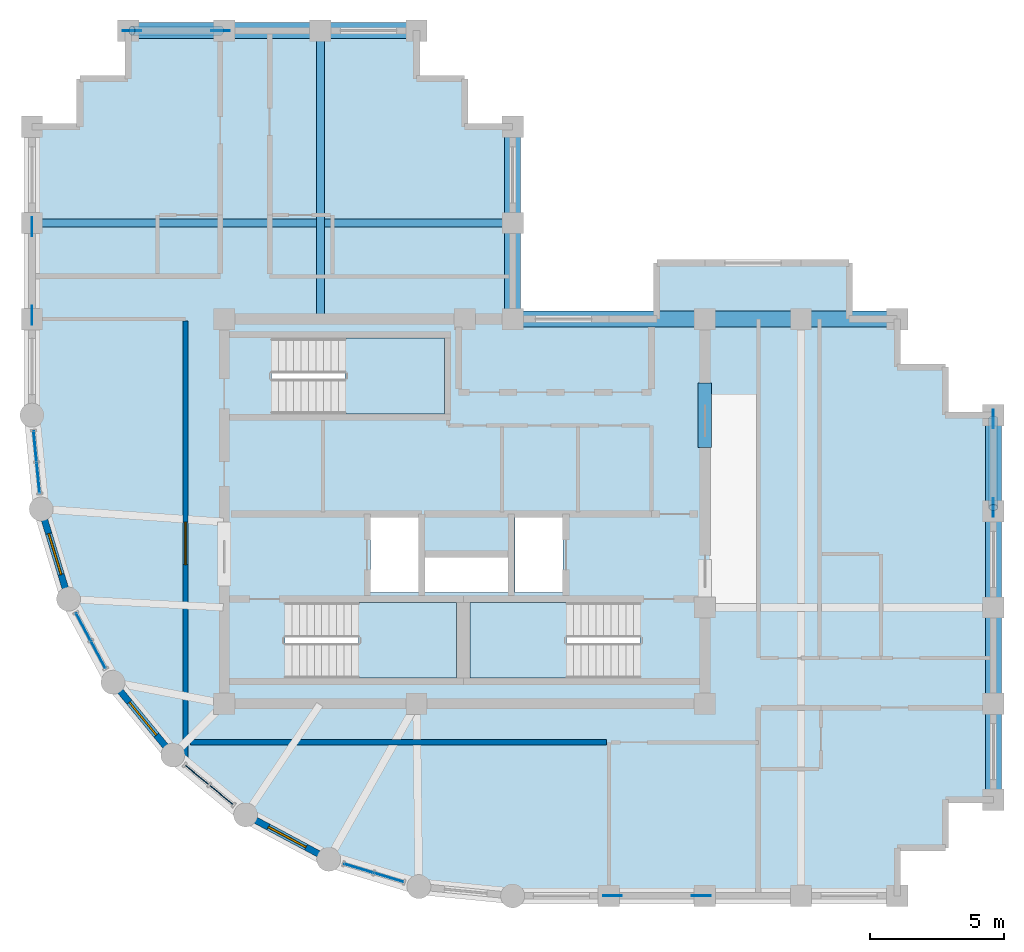
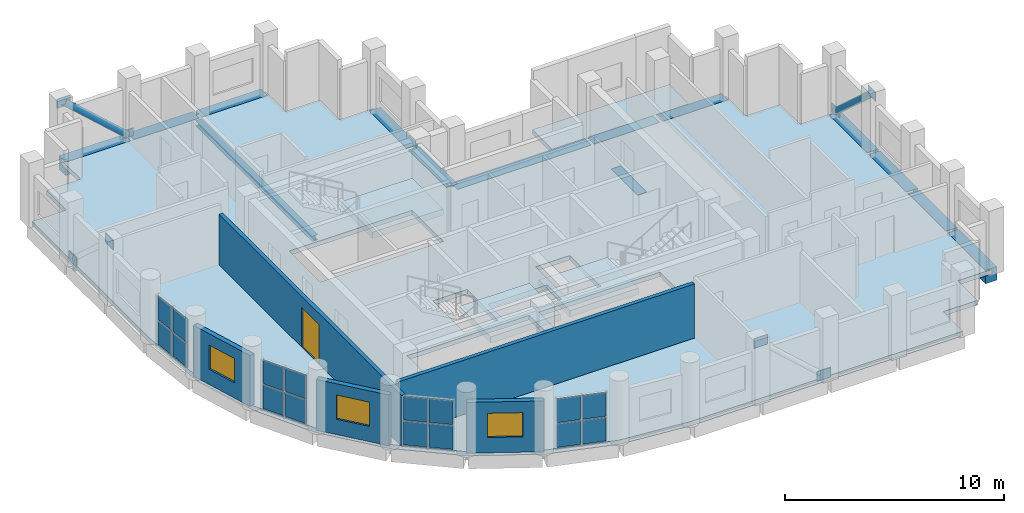
# One storey, part 6 of 11: 24 plates, 15 beams, 5 walls, 4 slabs, 3 windows, 2 members, 1 door, 4 openings, 7 elements without a shape of their own.
"""IFC4 building model written with IfcOpenShell, lengths in metres."""

from ifc_helpers import new_model, si_unit, direction, frame, frame_2d, origin, origin_2d, place, context, subcontext, project, spatial, polyline, rectangle, hollow_circle, i_section, outline, extrude, material, layer, layer_set, material_profile, profile_set, type_object, element, fill, aggregate, save


model = new_model("IFC4")

# Units and contexts
model_context = context("Model", 3, precision=1e-05, world=origin(), true_north=direction((0.0, 1.0)))
body_context = subcontext(model_context, "Body", "Model", "MODEL_VIEW")
ifc_project = project(units=[si_unit("LENGTHUNIT", "METRE"), si_unit("AREAUNIT", "SQUARE_METRE"), si_unit("VOLUMEUNIT", "CUBIC_METRE"), si_unit("PLANEANGLEUNIT", "RADIAN"), si_unit("MASSUNIT", "GRAM", prefix="KILO")], contexts=[model_context])

# Site, building, storey
site_placement = place(None, origin())
site = spatial("IfcSite", under=ifc_project, at=site_placement, CompositionType="ELEMENT")
building_placement = place(site_placement, origin())
building = spatial("IfcBuilding", under=site, at=building_placement, Name="Solnavia Interchange Tower", CompositionType="ELEMENT")
storey_placement = place(building_placement, frame((0.0, 0.0, 284.60009765625)))
storey = spatial("IfcBuildingStorey", under=building, at=storey_placement, Name="L72", CompositionType="ELEMENT", Elevation=284.60009765625)

# Beams
ifc_material_1 = material(Name="Concrete C50/60", Category="concrete")
ifc_material_profile_1 = material_profile(ifc_material_1, rectangle(XDim=0.5, YDim=0.800048828125, at=origin_2d()), Name="RC 500x800")
ifc_profile_set_1 = profile_set([ifc_material_profile_1], Name="Concrete C50/60")
beam_type_1 = type_object("IfcBeamType", Name="Beam-Coupling-RC500x800", PredefinedType="LINTEL", material=ifc_profile_set_1)
beam_1_placement = place(storey_placement, frame((32.39990234375, 20.39990234375, -0.400146484375), z_axis=(0.0, 1.0, 0.0), x_axis=(-1.0, 0.0, 0.0)))
element("IfcBeam", 1, at=beam_1_placement, inside=storey, type_object=beam_type_1, Name="CPB-L72-E2 Core coupling lintel beam", PredefinedType="LINTEL", context=body_context, shape_type="SweptSolid", body=[
    extrude(rectangle(XDim=0.5, YDim=0.800048828125, at=origin_2d()), origin(), (0.0, 0.0, 1.0), 2.400146484375),
])
ifc_material_2 = material(Name="Steel S460", Category="steel")
ifc_material_profile_2 = material_profile(ifc_material_2, i_section(OverallWidth=0.300048828125, OverallDepth=0.300048828125, WebThickness=0.010986328125, FlangeThickness=0.01904296875, FilletRadius=0.027099609375, at=origin_2d()), Name="HEB 300")
ifc_profile_set_2 = profile_set([ifc_material_profile_2], Name="Steel S460")
beam_type_2 = type_object("IfcBeamType", Name="Beam-Girder-HEB300", PredefinedType="BEAM", material=ifc_profile_set_2)
beam_2_placement = place(storey_placement, frame((18.0, 25.280029296875, -0.400146484375), z_axis=(0.0, 1.0, 0.0), x_axis=(-1.0, 0.0, 0.0)))
element("IfcBeam", 2, at=beam_2_placement, inside=storey, type_object=beam_type_2, Name="GRD-L72-NS03 North wing spine girder", PredefinedType="BEAM", context=body_context, shape_type="SweptSolid", body=[
    extrude(i_section(OverallWidth=0.300048828125, OverallDepth=0.300048828125, WebThickness=0.010986328125, FlangeThickness=0.01904296875, FilletRadius=0.027099609375, at=origin_2d()), origin(), (0.0, 0.0, 1.0), 10.639892578125),
])
beam_3_placement = place(storey_placement, frame((7.280029296875, 28.800048828125, -0.400146484375), z_axis=(1.0, 0.0, 0.0), x_axis=(0.0, 1.0, 0.0)))
element("IfcBeam", 3, at=beam_3_placement, inside=storey, type_object=beam_type_2, Name="GRD-L72-NW04 North wing primary floor girder", PredefinedType="BEAM", context=body_context, shape_type="SweptSolid", body=[
    extrude(i_section(OverallWidth=0.300048828125, OverallDepth=0.300048828125, WebThickness=0.010986328125, FlangeThickness=0.01904296875, FilletRadius=0.027099609375, at=origin_2d()), origin(), (0.0, 0.0, 1.0), 17.840087890625),
])
ifc_material_profile_3 = material_profile(ifc_material_1, rectangle(XDim=0.60009765625, YDim=0.75, at=origin_2d()), Name="RC 600x750")
ifc_profile_set_3 = profile_set([ifc_material_profile_3], Name="Concrete C50/60")
beam_type_3 = type_object("IfcBeamType", Name="Beam-Spandrel-RC600x750", PredefinedType="SPANDREL", material=ifc_profile_set_3)
beam_4_placement = place(storey_placement, frame((43.199951171875, 7.280029296875, -0.375), z_axis=(0.0, 1.0, 0.0), x_axis=(-1.0, 0.0, 0.0)))
element("IfcBeam", 4, at=beam_4_placement, inside=storey, type_object=beam_type_3, Name="SPB-L72-13 Framed-tube perimeter spandrel beam", PredefinedType="SPANDREL", context=body_context, shape_type="SweptSolid", body=[
    extrude(rectangle(XDim=0.60009765625, YDim=0.75, at=origin_2d()), origin(), (0.0, 0.0, 1.0), 3.43994140625),
])
beam_5_placement = place(storey_placement, frame((43.199951171875, 10.8798828125, -0.375), z_axis=(0.0, 1.0, 0.0), x_axis=(-1.0, 0.0, 0.0)))
element("IfcBeam", 5, at=beam_5_placement, inside=storey, type_object=beam_type_3, Name="SPB-L72-14 Framed-tube perimeter spandrel beam", PredefinedType="SPANDREL", context=body_context, shape_type="SweptSolid", body=[
    extrude(rectangle(XDim=0.60009765625, YDim=0.75, at=origin_2d()), origin(), (0.0, 0.0, 1.0), 3.440185546875),
])
for number, where, z_axis, x_axis, name in (
    (6, (43.199951171875, 14.47998046875, -0.375), (0.0, 1.0, 0.0), (-1.0, 0.0, 0.0), "SPB-L72-15 Framed-tube perimeter spandrel beam"),
    (7, (43.199951171875, 18.080078125, -0.375), (0.0, 1.0, 0.0), (-1.0, 0.0, 0.0), "SPB-L72-16 Framed-tube perimeter spandrel beam"),
    (8, (39.52001953125, 25.199951171875, -0.375), (-1.0, 0.0, 0.0), (0.0, -1.0, 0.0), "SPB-L72-17 Framed-tube perimeter spandrel beam"),
    (9, (35.919921875, 25.199951171875, -0.375), (-1.0, 0.0, 0.0), (0.0, -1.0, 0.0), "SPB-L72-18 Framed-tube perimeter spandrel beam"),
):
    element("IfcBeam", number, at=place(storey_placement, frame(where, z_axis=z_axis, x_axis=x_axis)), inside=storey, type_object=beam_type_3, Name=name, PredefinedType="SPANDREL", context=body_context, shape_type="SweptSolid", body=[
        extrude(rectangle(XDim=0.60009765625, YDim=0.75, at=origin_2d()), origin(), (0.0, 0.0, 1.0), 3.43994140625),
    ])
beam_6_placement = place(storey_placement, frame((32.320068359375, 25.199951171875, -0.375), z_axis=(-1.0, 0.0, 0.0), x_axis=(0.0, -1.0, 0.0)))
element("IfcBeam", 10, at=beam_6_placement, inside=storey, type_object=beam_type_3, Name="SPB-L72-19 Framed-tube perimeter spandrel beam", PredefinedType="SPANDREL", context=body_context, shape_type="SweptSolid", body=[
    extrude(rectangle(XDim=0.60009765625, YDim=0.75, at=origin_2d()), origin(), (0.0, 0.0, 1.0), 7.0400390625),
])
beam_7_placement = place(storey_placement, frame((25.199951171875, 25.280029296875, -0.375), z_axis=(0.0, 1.0, 0.0), x_axis=(-1.0, 0.0, 0.0)))
element("IfcBeam", 11, at=beam_7_placement, inside=storey, type_object=beam_type_3, Name="SPB-L72-20 Framed-tube perimeter spandrel beam", PredefinedType="SPANDREL", context=body_context, shape_type="SweptSolid", body=[
    extrude(rectangle(XDim=0.60009765625, YDim=0.75, at=origin_2d()), origin(), (0.0, 0.0, 1.0), 3.43994140625),
])
beam_8_placement = place(storey_placement, frame((25.199951171875, 28.8798828125, -0.375), z_axis=(0.0, 1.0, 0.0), x_axis=(-1.0, 0.0, 0.0)))
element("IfcBeam", 12, at=beam_8_placement, inside=storey, type_object=beam_type_3, Name="SPB-L72-21 Framed-tube perimeter spandrel beam", PredefinedType="SPANDREL", context=body_context, shape_type="SweptSolid", body=[
    extrude(rectangle(XDim=0.60009765625, YDim=0.75, at=origin_2d()), origin(), (0.0, 0.0, 1.0), 3.440185546875),
])
for number, where, z_axis, x_axis, name in (
    (13, (21.52001953125, 36.0, -0.375), (-1.0, 0.0, 0.0), (0.0, -1.0, 0.0), "SPB-L72-22 Framed-tube perimeter spandrel beam"),
    (14, (17.919921875, 36.0, -0.375), (-1.0, 0.0, 0.0), (0.0, -1.0, 0.0), "SPB-L72-23 Framed-tube perimeter spandrel beam"),
):
    element("IfcBeam", number, at=place(storey_placement, frame(where, z_axis=z_axis, x_axis=x_axis)), inside=storey, type_object=beam_type_3, Name=name, PredefinedType="SPANDREL", context=body_context, shape_type="SweptSolid", body=[
        extrude(rectangle(XDim=0.60009765625, YDim=0.75, at=origin_2d()), origin(), (0.0, 0.0, 1.0), 3.43994140625),
    ])
beam_9_placement = place(storey_placement, frame((14.320068359375, 36.0, -0.375), z_axis=(-1.0, 0.0, 0.0), x_axis=(0.0, -1.0, 0.0)))
element("IfcBeam", 15, at=beam_9_placement, inside=storey, type_object=beam_type_3, Name="SPB-L72-24 Framed-tube perimeter spandrel beam", PredefinedType="SPANDREL", context=body_context, shape_type="SweptSolid", body=[
    extrude(rectangle(XDim=0.60009765625, YDim=0.75, at=origin_2d()), origin(), (0.0, 0.0, 1.0), 3.440185546875),
])

# Members
ifc_material_profile_4 = material_profile(ifc_material_2, hollow_circle(Radius=0.177734375, WallThickness=0.01611328125, at=origin_2d()), Name="CHS 355.6x16")
ifc_profile_set_4 = profile_set([ifc_material_profile_4], Name="Steel S460")
member_type = type_object("IfcMemberType", Name="Brace-Perim-CHS355", PredefinedType="BRACE", material=ifc_profile_set_4)
for number, where, z_axis, x_axis, name in (
    (16, (43.199951171875, 21.4599609375, 0.179931640625), (0.0, -0.74307946371, 0.669203190827), (1.0, 0.0, 0.0), "BRC-L72-03 Perimeter tube diagonal brace"),
    (17, (14.260009765625, 36.0, 0.179931640625), (-0.74307946371, 0.0, 0.669203190827), (0.0, -1.0, 0.0), "BRC-L72-04 Perimeter tube diagonal brace"),
):
    element("IfcMember", number, at=place(storey_placement, frame(where, z_axis=z_axis, x_axis=x_axis)), inside=storey, type_object=member_type, Name=name, PredefinedType="BRACE", context=body_context, shape_type="SweptSolid", body=[
        extrude(hollow_circle(Radius=0.177734375, WallThickness=0.01611328125, at=origin_2d()), origin(), (0.0, 0.0, 1.0), 4.468017578125),
    ])

# Curtain wall, plates
ifc_material_3 = material(Name="Aluminium Alloy 6063-T6", Category="aluminium")
ifc_layer_1 = layer(ifc_material_3, 0.239990234375)
ifc_layer_set_1 = layer_set([ifc_layer_1], Name="Aluminium Alloy 6063-T6")
curtain_wall_type = type_object("IfcCurtainWallType", Name="CurtainWall-Drum-CTW2", PredefinedType="NOTDEFINED", material=ifc_layer_set_1)
curtain_wall_1_placement = place(storey_placement, origin())
curtain_wall_1 = element("IfcCurtainWall", 18, at=curtain_wall_1_placement, inside=storey, type_object=curtain_wall_type, Name="CTW-L72-D41 CTW-2 curtain wall", PredefinedType="NOTDEFINED")
ifc_material_4 = material(Name="Double-Glazed Low-E IGU Glass", Category="glass")
ifc_layer_2 = layer(ifc_material_4, 0.031982421875)
ifc_layer_set_2 = layer_set([ifc_layer_2], Name="Double-Glazed Low-E IGU Glass")
plate_type_1 = type_object("IfcPlateType", Name="CW-Panel-Solar-32", PredefinedType="CURTAIN_PANEL", material=ifc_layer_set_2)
plate_1_placement = place(storey_placement, frame((7.314697265625, 20.435791015625, 0.06494140625), z_axis=(0.0, 0.0, 1.0), x_axis=(0.098043088306, -0.995182170678, 0.0)))
plate_1 = element("IfcPlate", 19, at=plate_1_placement, type_object=plate_type_1, Name="CTW-2 panel 1.1", PredefinedType="CURTAIN_PANEL", context=body_context, shape_type="SweptSolid", body=[
    extrude(rectangle(XDim=1.114501953125, YDim=0.031982421875, at=origin_2d()), origin(), (0.0, 0.0, 1.0), 1.3173828125),
])
plate_2_placement = place(storey_placement, frame((7.314697265625, 20.435791015625, 1.447509765625), z_axis=(0.0, 0.0, 1.0), x_axis=(0.098043088306, -0.995182170678, 0.0)))
plate_2 = element("IfcPlate", 20, at=plate_2_placement, type_object=plate_type_1, Name="CTW-2 panel 1.2", PredefinedType="CURTAIN_PANEL", context=body_context, shape_type="SweptSolid", body=[
    extrude(rectangle(XDim=1.114501953125, YDim=0.031982421875, at=origin_2d()), origin(), (0.0, 0.0, 1.0), 1.3173828125),
])
plate_3_placement = place(storey_placement, frame((7.431396484375, 19.252197265625, 0.06494140625), z_axis=(0.0, 0.0, 1.0), x_axis=(0.098043088306, -0.995182170678, 0.0)))
plate_3 = element("IfcPlate", 21, at=plate_3_placement, type_object=plate_type_1, Name="CTW-2 panel 2.1", PredefinedType="CURTAIN_PANEL", context=body_context, shape_type="SweptSolid", body=[
    extrude(rectangle(XDim=1.114501953125, YDim=0.031982421875, at=origin_2d()), origin(), (0.0, 0.0, 1.0), 1.3173828125),
])
plate_4_placement = place(storey_placement, frame((7.431396484375, 19.252197265625, 1.447509765625), z_axis=(0.0, 0.0, 1.0), x_axis=(0.098043088306, -0.995182170678, 0.0)))
plate_4 = element("IfcPlate", 22, at=plate_4_placement, type_object=plate_type_1, Name="CTW-2 panel 2.2", PredefinedType="CURTAIN_PANEL", context=body_context, shape_type="SweptSolid", body=[
    extrude(rectangle(XDim=1.114501953125, YDim=0.031982421875, at=origin_2d()), origin(), (0.0, 0.0, 1.0), 1.3173828125),
])
aggregate(curtain_wall_1, [plate_1, plate_2, plate_3, plate_4])

curtain_wall_2_placement = place(storey_placement, origin())
curtain_wall_2 = element("IfcCurtainWall", 23, at=curtain_wall_2_placement, inside=storey, type_object=curtain_wall_type, Name="CTW-L72-D43 CTW-2 curtain wall", PredefinedType="NOTDEFINED")
plate_5_placement = place(storey_placement, frame((9.12158203125, 13.680419921875, 0.06494140625), z_axis=(0.0, 0.0, 1.0), x_axis=(0.471560876964, -0.881833509976, 0.0)))
plate_5 = element("IfcPlate", 24, at=plate_5_placement, type_object=plate_type_1, Name="CTW-2 panel 1.1", PredefinedType="CURTAIN_PANEL", context=body_context, shape_type="SweptSolid", body=[
    extrude(rectangle(XDim=1.114501953125, YDim=0.031982421875, at=origin_2d()), origin(), (0.0, 0.0, 1.0), 1.3173828125),
])
plate_6_placement = place(storey_placement, frame((9.12158203125, 13.680419921875, 1.447509765625), z_axis=(0.0, 0.0, 1.0), x_axis=(0.471560876964, -0.881833509976, 0.0)))
plate_6 = element("IfcPlate", 25, at=plate_6_placement, type_object=plate_type_1, Name="CTW-2 panel 1.2", PredefinedType="CURTAIN_PANEL", context=body_context, shape_type="SweptSolid", body=[
    extrude(rectangle(XDim=1.114501953125, YDim=0.031982421875, at=origin_2d()), origin(), (0.0, 0.0, 1.0), 1.3173828125),
])
plate_7_placement = place(storey_placement, frame((9.682373046875, 12.631591796875, 0.06494140625), z_axis=(0.0, 0.0, 1.0), x_axis=(0.471560876964, -0.881833509976, 0.0)))
plate_7 = element("IfcPlate", 26, at=plate_7_placement, type_object=plate_type_1, Name="CTW-2 panel 2.1", PredefinedType="CURTAIN_PANEL", context=body_context, shape_type="SweptSolid", body=[
    extrude(rectangle(XDim=1.114501953125, YDim=0.031982421875, at=origin_2d()), origin(), (0.0, 0.0, 1.0), 1.3173828125),
])
plate_8_placement = place(storey_placement, frame((9.682373046875, 12.631591796875, 1.447509765625), z_axis=(0.0, 0.0, 1.0), x_axis=(0.471560876964, -0.881833509976, 0.0)))
plate_8 = element("IfcPlate", 27, at=plate_8_placement, type_object=plate_type_1, Name="CTW-2 panel 2.2", PredefinedType="CURTAIN_PANEL", context=body_context, shape_type="SweptSolid", body=[
    extrude(rectangle(XDim=1.114501953125, YDim=0.031982421875, at=origin_2d()), origin(), (0.0, 0.0, 1.0), 1.3173828125),
])
aggregate(curtain_wall_2, [plate_5, plate_6, plate_7, plate_8])

curtain_wall_3_placement = place(storey_placement, origin())
curtain_wall_3 = element("IfcCurtainWall", 28, at=curtain_wall_3_placement, inside=storey, type_object=curtain_wall_type, Name="CTW-L72-D45 CTW-2 curtain wall", PredefinedType="NOTDEFINED")
plate_9_placement = place(storey_placement, frame((13.376220703125, 8.130126953125, 0.06494140625), z_axis=(0.0, 0.0, 1.0), x_axis=(0.773103093557, -0.634280384951, 0.0)))
plate_9 = element("IfcPlate", 29, at=plate_9_placement, type_object=plate_type_1, Name="CTW-2 panel 1.1", PredefinedType="CURTAIN_PANEL", context=body_context, shape_type="SweptSolid", body=[
    extrude(rectangle(XDim=1.1142578125, YDim=0.031982421875, at=origin_2d()), origin(), (0.0, 0.0, 1.0), 1.3173828125),
])
plate_10_placement = place(storey_placement, frame((13.376220703125, 8.130126953125, 1.447509765625), z_axis=(0.0, 0.0, 1.0), x_axis=(0.773103093557, -0.634280384951, 0.0)))
plate_10 = element("IfcPlate", 30, at=plate_10_placement, type_object=plate_type_1, Name="CTW-2 panel 1.2", PredefinedType="CURTAIN_PANEL", context=body_context, shape_type="SweptSolid", body=[
    extrude(rectangle(XDim=1.1142578125, YDim=0.031982421875, at=origin_2d()), origin(), (0.0, 0.0, 1.0), 1.3173828125),
])
plate_11_placement = place(storey_placement, frame((14.295654296875, 7.375732421875, 0.06494140625), z_axis=(0.0, 0.0, 1.0), x_axis=(0.773103093557, -0.634280384951, 0.0)))
plate_11 = element("IfcPlate", 31, at=plate_11_placement, type_object=plate_type_1, Name="CTW-2 panel 2.1", PredefinedType="CURTAIN_PANEL", context=body_context, shape_type="SweptSolid", body=[
    extrude(rectangle(XDim=1.1142578125, YDim=0.031982421875, at=origin_2d()), origin(), (0.0, 0.0, 1.0), 1.3173828125),
])
plate_12_placement = place(storey_placement, frame((14.295654296875, 7.375732421875, 1.447509765625), z_axis=(0.0, 0.0, 1.0), x_axis=(0.773103093557, -0.634280384951, 0.0)))
plate_12 = element("IfcPlate", 32, at=plate_12_placement, type_object=plate_type_1, Name="CTW-2 panel 2.2", PredefinedType="CURTAIN_PANEL", context=body_context, shape_type="SweptSolid", body=[
    extrude(rectangle(XDim=1.1142578125, YDim=0.031982421875, at=origin_2d()), origin(), (0.0, 0.0, 1.0), 1.3173828125),
])
aggregate(curtain_wall_3, [plate_9, plate_10, plate_11, plate_12])

curtain_wall_4_placement = place(storey_placement, origin())
curtain_wall_4 = element("IfcCurtainWall", 33, at=curtain_wall_4_placement, inside=storey, type_object=curtain_wall_type, Name="CTW-L72-D47 CTW-2 curtain wall", PredefinedType="NOTDEFINED")
plate_13_placement = place(storey_placement, frame((19.43115234375, 4.630615234375, 0.06494140625), z_axis=(0.0, 0.0, 1.0), x_axis=(0.956942072515, -0.290278951786, 0.0)))
plate_13 = element("IfcPlate", 34, at=plate_13_placement, type_object=plate_type_1, Name="CTW-2 panel 1.1", PredefinedType="CURTAIN_PANEL", context=body_context, shape_type="SweptSolid", body=[
    extrude(rectangle(XDim=1.114013671875, YDim=0.031982421875, at=origin_2d()), origin(), (0.0, 0.0, 1.0), 1.3173828125),
])
plate_14_placement = place(storey_placement, frame((19.43115234375, 4.630615234375, 1.447509765625), z_axis=(0.0, 0.0, 1.0), x_axis=(0.956942072515, -0.290278951786, 0.0)))
plate_14 = element("IfcPlate", 35, at=plate_14_placement, type_object=plate_type_1, Name="CTW-2 panel 1.2", PredefinedType="CURTAIN_PANEL", context=body_context, shape_type="SweptSolid", body=[
    extrude(rectangle(XDim=1.114013671875, YDim=0.031982421875, at=origin_2d()), origin(), (0.0, 0.0, 1.0), 1.3173828125),
])
plate_15_placement = place(storey_placement, frame((20.56884765625, 4.285400390625, 0.06494140625), z_axis=(0.0, 0.0, 1.0), x_axis=(0.956942072515, -0.290278951786, 0.0)))
plate_15 = element("IfcPlate", 36, at=plate_15_placement, type_object=plate_type_1, Name="CTW-2 panel 2.1", PredefinedType="CURTAIN_PANEL", context=body_context, shape_type="SweptSolid", body=[
    extrude(rectangle(XDim=1.114013671875, YDim=0.031982421875, at=origin_2d()), origin(), (0.0, 0.0, 1.0), 1.3173828125),
])
plate_16_placement = place(storey_placement, frame((20.56884765625, 4.285400390625, 1.447509765625), z_axis=(0.0, 0.0, 1.0), x_axis=(0.956942072515, -0.290278951786, 0.0)))
plate_16 = element("IfcPlate", 37, at=plate_16_placement, type_object=plate_type_1, Name="CTW-2 panel 2.2", PredefinedType="CURTAIN_PANEL", context=body_context, shape_type="SweptSolid", body=[
    extrude(rectangle(XDim=1.114013671875, YDim=0.031982421875, at=origin_2d()), origin(), (0.0, 0.0, 1.0), 1.3173828125),
])
aggregate(curtain_wall_4, [plate_13, plate_14, plate_15, plate_16])

# Plates
ifc_layer_3 = layer(ifc_material_2, 0.030029296875)
ifc_layer_set_3 = layer_set([ifc_layer_3], Name="Steel S460")
plate_type_2 = type_object("IfcPlateType", Name="Plate-Gusset-700x520x30", PredefinedType="USERDEFINED", material=ifc_layer_set_3)
for number, where, z_axis, x_axis, name in (
    (38, (32.260009765625, 3.60009765625, -0.080078125), (0.0, 0.0, 1.0), (-1.0, 0.0, 0.0), "PLT-L72-GP01 Perimeter brace gusset plate"),
    (39, (28.93994140625, 3.60009765625, 2.909912109375), (0.0, 0.0, 1.0), (-1.0, 0.0, 0.0), "PLT-L72-GP02 Perimeter brace gusset plate"),
    (40, (7.199951171875, 28.659912109375, -0.080078125), (0.0, 0.0, 1.0), (0.0, -1.0, 0.0), "PLT-L72-GP03 Perimeter brace gusset plate"),
    (41, (7.199951171875, 25.340087890625, 2.909912109375), (0.0, 0.0, 1.0), (0.0, -1.0, 0.0), "PLT-L72-GP04 Perimeter brace gusset plate"),
    (42, (43.199951171875, 21.4599609375, -0.080078125), (0.0, 0.0, 1.0), (0.0, -1.0, 0.0), "PLT-L72-GP05 Perimeter brace gusset plate"),
    (43, (43.199951171875, 18.139892578125, 2.909912109375), (0.0, 0.0, 1.0), (0.0, -1.0, 0.0), "PLT-L72-GP06 Perimeter brace gusset plate"),
    (44, (14.260009765625, 36.0, -0.080078125), (0.0, 0.0, 1.0), (-1.0, 0.0, 0.0), "PLT-L72-GP07 Perimeter brace gusset plate"),
    (45, (10.93994140625, 36.0, 2.909912109375), (0.0, 0.0, 1.0), (-1.0, 0.0, 0.0), "PLT-L72-GP08 Perimeter brace gusset plate"),
):
    element("IfcPlate", number, at=place(storey_placement, frame(where, z_axis=z_axis, x_axis=x_axis)), inside=storey, type_object=plate_type_2, Name=name, ObjectType="GUSSET PLATE", PredefinedType="USERDEFINED", context=body_context, shape_type="SweptSolid", body=[
        extrude(rectangle(XDim=0.699951171875, YDim=0.030029296875, at=origin_2d()), origin(), (0.0, 0.0, 1.0), 0.52001953125),
    ])

# Stair, slab
ifc_material_5 = material(Name="Concrete C40/50", Category="concrete")
stair_type = type_object("IfcStairType", Name="Stair-Dogleg-RC", PredefinedType="HALF_TURN_STAIR", material=ifc_material_5)
stair_1_placement = place(storey_placement, origin())
stair_1 = element("IfcStair", 46, at=stair_1_placement, inside=storey, type_object=stair_type, Name="L72 Core exit stair 1", PredefinedType="HALF_TURN_STAIR")
ifc_layer_4 = layer(ifc_material_5, 0.35009765625)
ifc_layer_set_4 = layer_set([ifc_layer_4], Name="Concrete C40/50")
slab_type_1 = type_object("IfcSlabType", Name="Slab-StairLanding-350", PredefinedType="LANDING", material=ifc_layer_set_4)
slab_1_placement = place(storey_placement, frame((0.0, 0.0, 1.449951171875)))
slab_1 = element("IfcSlab", 47, at=slab_1_placement, type_object=slab_type_1, Name="ST-1 landing 1", PredefinedType="LANDING", context=body_context, shape_type="SweptSolid", body=[
    extrude(outline(polyline([(19.427978515625, 11.75), (23.10009765625, 11.75), (23.10009765625, 14.590087890625), (19.427978515625, 14.590087890625), (19.427978515625, 11.75)])), origin(), (0.0, 0.0, 1.0), 0.349853515625),
])
aggregate(stair_1, [slab_1])

stair_2_placement = place(storey_placement, origin())
stair_2 = element("IfcStair", 48, at=stair_2_placement, inside=storey, type_object=stair_type, Name="L72 Core exit stair 2", PredefinedType="HALF_TURN_STAIR")
slab_2_placement = place(storey_placement, frame((0.0, 0.0, 1.449951171875)))
slab_2 = element("IfcSlab", 49, at=slab_2_placement, type_object=slab_type_1, Name="ST-2 landing 1", PredefinedType="LANDING", context=body_context, shape_type="SweptSolid", body=[
    extrude(outline(polyline([(23.60009765625, 11.75), (27.221923828125, 11.75), (27.221923828125, 14.590087890625), (23.60009765625, 14.590087890625), (23.60009765625, 11.75)])), origin(), (0.0, 0.0, 1.0), 0.349853515625),
])
aggregate(stair_2, [slab_2])

stair_3_placement = place(storey_placement, origin())
stair_3 = element("IfcStair", 50, at=stair_3_placement, inside=storey, type_object=stair_type, Name="L72 Core exit stair 3", PredefinedType="HALF_TURN_STAIR")
slab_3_placement = place(storey_placement, frame((0.0, 0.0, 1.449951171875)))
slab_3 = element("IfcSlab", 51, at=slab_3_placement, type_object=slab_type_1, Name="ST-3 landing 1", PredefinedType="LANDING", context=body_context, shape_type="SweptSolid", body=[
    extrude(outline(polyline([(18.927978515625, 21.64990234375), (22.64990234375, 21.64990234375), (22.64990234375, 24.489990234375), (18.927978515625, 24.489990234375), (18.927978515625, 21.64990234375)])), origin(), (0.0, 0.0, 1.0), 0.349853515625),
])
aggregate(stair_3, [slab_3])

# Slab
ifc_layer_5 = layer(ifc_material_5, 0.25)
ifc_layer_set_5 = layer_set([ifc_layer_5], Name="Concrete C40/50")
slab_type_2 = type_object("IfcSlabType", Name="Slab-Tower-250", PredefinedType="FLOOR", material=ifc_layer_set_5)
slab_4_placement = place(storey_placement, frame((0.0, 0.0, -0.25)))
element("IfcSlab", 52, at=slab_4_placement, inside=storey, type_object=slab_type_2, Name="SLB-L72-01 Structural floor slab", PredefinedType="FLOOR", context=body_context, shape_type="SweptSolid", body=[
    extrude(outline(polyline([(25.199951171875, 3.60009765625), (39.60009765625, 3.60009765625), (39.60009765625, 5.39990234375), (41.39990234375, 5.39990234375), (41.39990234375, 7.199951171875), (43.199951171875, 7.199951171875), (43.199951171875, 21.60009765625), (41.39990234375, 21.60009765625), (41.39990234375, 23.39990234375), (39.60009765625, 23.39990234375), (39.60009765625, 25.199951171875), (37.800048828125, 25.199951171875), (37.800048828125, 27.300048828125), (30.60009765625, 27.300048828125), (30.60009765625, 25.199951171875), (25.199951171875, 25.199951171875), (25.199951171875, 32.39990234375), (23.39990234375, 32.39990234375), (23.39990234375, 34.199951171875), (21.60009765625, 34.199951171875), (21.60009765625, 36.0), (10.800048828125, 36.0), (10.800048828125, 34.199951171875), (9.0, 34.199951171875), (9.0, 32.39990234375), (7.199951171875, 32.39990234375), (7.199951171875, 21.60009765625), (7.5458984375, 18.087890625), (8.570068359375, 14.7119140625), (10.23388671875, 11.60009765625), (12.471923828125, 8.8720703125), (15.199951171875, 6.634033203125), (18.31201171875, 4.969970703125), (21.68798828125, 3.946044921875), (25.199951171875, 3.60009765625)]), holes=[polyline([(16.675048828125, 11.75), (23.10009765625, 11.75), (23.10009765625, 14.590087890625), (16.675048828125, 14.590087890625), (16.675048828125, 11.75)]), polyline([(23.60009765625, 11.75), (29.97509765625, 11.75), (29.97509765625, 14.590087890625), (23.60009765625, 14.590087890625), (23.60009765625, 11.75)]), polyline([(16.175048828125, 21.64990234375), (22.64990234375, 21.64990234375), (22.64990234375, 24.489990234375), (16.175048828125, 24.489990234375), (16.175048828125, 21.64990234375)]), polyline([(19.8798828125, 14.9599609375), (21.679931640625, 14.9599609375), (21.679931640625, 17.780029296875), (19.8798828125, 17.780029296875), (19.8798828125, 14.9599609375)]), polyline([(25.280029296875, 14.9599609375), (27.080078125, 14.9599609375), (27.080078125, 17.780029296875), (25.280029296875, 17.780029296875), (25.280029296875, 14.9599609375)]), polyline([(21.919921875, 14.9599609375), (25.02001953125, 14.9599609375), (25.02001953125, 16.280029296875), (21.919921875, 16.280029296875), (21.919921875, 14.9599609375)])]), origin(), (0.0, 0.0, 1.0), 0.25),
])

# Wall, opening, door
ifc_material_6 = material(Name="Gypsum Acoustic Twin-Stud & Mineral Wool", Category="gypsum")
ifc_layer_6 = layer(ifc_material_6, 0.199951171875)
ifc_layer_set_6 = layer_set([ifc_layer_6], Name="Gypsum Acoustic Twin-Stud & Mineral Wool")
wall_type_1 = type_object("IfcWallType", Name="Wall-ApartmentParty-200", PredefinedType="PARTITIONING", material=ifc_layer_set_6)
wall_1_placement = place(storey_placement, frame((12.949951171875, 8.47998046875, 0.0), z_axis=(0.0, 0.0, 1.0), x_axis=(0.0, 1.0, 0.0)))
wall_1 = element("IfcWall", 53, at=wall_1_placement, inside=storey, type_object=wall_type_1, Name="PTW-L72-09 Interior partition wall", PredefinedType="PARTITIONING", context=body_context, shape_type="SweptSolid", body=[
    extrude(rectangle(XDim=16.64111328125, YDim=0.199951171875, at=frame_2d((8.320556640625, 0.0))), origin(), (0.0, 0.0, 1.0), 2.829833984375),
])
opening_1_placement = place(wall_1_placement, frame((7.52001953125, 0.0, 0.0)))
opening_1 = element("IfcOpeningElement", 54, at=opening_1_placement, cuts=wall_1, Name="Opening DR-08", PredefinedType="OPENING", context=body_context, shape_type="SweptSolid", body=[
    extrude(rectangle(XDim=1.60009765625, YDim=2.199951171875, at=frame_2d((0.800048828125, 1.10009765625))), frame((0.0, 0.10986328125, 0.0), z_axis=(0.0, -1.0, 0.0), x_axis=(1.0, 0.0, 0.0)), (0.0, 0.0, 1.0), 0.219970703125),
])
ifc_material_7 = material(Name="Thermally Broken Aluminium & Toughened Glass", Category="aluminium")
door_type = type_object("IfcDoorType", Name="Door-RetailDouble-1600x2200", OperationType="DOUBLE_DOOR_SINGLE_SWING", PredefinedType="DOOR", material=ifc_material_7)
door_placement = place(opening_1_placement, origin())
door = element("IfcDoor", 55, at=door_placement, inside=storey, type_object=door_type, Name="DR-L72-03 Interior room door", OperationType="DOUBLE_DOOR_SINGLE_SWING", OverallHeight=2.199951171875, OverallWidth=1.60009765625, PredefinedType="DOOR", context=body_context, shape_type="SweptSolid", body=[
    extrude(rectangle(XDim=1.60009765625, YDim=2.199951171875, at=frame_2d((0.800048828125, 1.10009765625))), frame((0.0, 0.02490234375, 0.0), z_axis=(0.0, -1.0, 0.0), x_axis=(1.0, 0.0, 0.0)), (0.0, 0.0, 1.0), 0.050048828125),
])
fill(opening_1, door)

# Wall
wall_2_placement = place(storey_placement, frame((13.1298828125, 9.35009765625, 0.0), z_axis=(0.0, 0.0, 1.0), x_axis=(1.0, 0.0, 0.0)))
element("IfcWall", 56, at=wall_2_placement, inside=storey, type_object=wall_type_1, Name="PTW-L72-10 Interior partition wall", PredefinedType="PARTITIONING", context=body_context, shape_type="SweptSolid", body=[
    extrude(rectangle(XDim=15.591064453125, YDim=0.199951171875, at=frame_2d((7.79541015625, 0.0))), origin(), (0.0, 0.0, 1.0), 3.02001953125),
])

# Wall, opening, window
ifc_layer_7 = layer(ifc_material_5, 0.25)
ifc_layer_set_7 = layer_set([ifc_layer_7], Name="Concrete C40/50")
wall_type_2 = type_object("IfcWallType", Name="Wall-ExtSpandrel-250", PredefinedType="STANDARD", material=ifc_layer_set_7)
wall_3_placement = place(storey_placement, frame((8.570068359375, 14.7119140625, 0.0), z_axis=(0.0, 0.0, 1.0), x_axis=(-0.290305086481, 0.956934144423, 0.0)))
wall_3 = element("IfcWall", 57, at=wall_3_placement, inside=storey, type_object=wall_type_2, Name="EXW-L72-42 Exterior precast spandrel wall", PredefinedType="STANDARD", context=body_context, shape_type="SweptSolid", body=[
    extrude(rectangle(XDim=3.52783203125, YDim=0.25, at=frame_2d((1.763916015625, 0.0))), origin(), (0.0, 0.0, 1.0), 2.829833984375),
])
opening_2_placement = place(wall_3_placement, frame((0.964111328125, 0.0, 0.85009765625)))
opening_2 = element("IfcOpeningElement", 58, at=opening_2_placement, cuts=wall_3, Name="Opening WIN-04", PredefinedType="OPENING", context=body_context, shape_type="SweptSolid", body=[
    extrude(rectangle(XDim=1.60009765625, YDim=1.35009765625, at=frame_2d((0.800048828125, 0.675048828125))), frame((0.0, 0.135009765625, 0.0), z_axis=(0.0, -1.0, 0.0), x_axis=(1.0, 0.0, 0.0)), (0.0, 0.0, 1.0), 0.27001953125),
])
ifc_material_8 = material(Name="Thermal-Break Aluminium & Low-E Glass", Category="aluminium")
window_type = type_object("IfcWindowType", Name="Window-Drum-1600x1350", PartitioningType="SINGLE_PANEL", PredefinedType="WINDOW", material=ifc_material_8)
window_1_placement = place(opening_2_placement, origin())
window_1 = element("IfcWindow", 59, at=window_1_placement, inside=storey, type_object=window_type, Name="WIN-L72-42 Facade ribbon window", OverallHeight=1.35009765625, OverallWidth=1.60009765625, PartitioningType="SINGLE_PANEL", PredefinedType="WINDOW", context=body_context, shape_type="SweptSolid", body=[
    extrude(rectangle(XDim=1.60009765625, YDim=1.35009765625, at=frame_2d((0.800048828125, 0.675048828125))), frame((0.0, 0.030029296875, 0.0), z_axis=(0.0, -1.0, 0.0), x_axis=(1.0, 0.0, 0.0)), (0.0, 0.0, 1.0), 0.06005859375),
])
fill(opening_2, window_1)

wall_4_placement = place(storey_placement, frame((12.471923828125, 8.8720703125, 0.0), z_axis=(0.0, 0.0, 1.0), x_axis=(-0.634258295121, 0.773121216285, 0.0)))
wall_4 = element("IfcWall", 60, at=wall_4_placement, inside=storey, type_object=wall_type_2, Name="EXW-L72-44 Exterior precast spandrel wall", PredefinedType="STANDARD", context=body_context, shape_type="SweptSolid", body=[
    extrude(rectangle(XDim=3.528564453125, YDim=0.25, at=frame_2d((1.76416015625, 0.0))), origin(), (0.0, 0.0, 1.0), 2.829833984375),
])
opening_3_placement = place(wall_4_placement, frame((0.964111328125, 0.0, 0.85009765625)))
opening_3 = element("IfcOpeningElement", 61, at=opening_3_placement, cuts=wall_4, Name="Opening WIN-04", PredefinedType="OPENING", context=body_context, shape_type="SweptSolid", body=[
    extrude(rectangle(XDim=1.60009765625, YDim=1.35009765625, at=frame_2d((0.800048828125, 0.675048828125))), frame((0.0, 0.135009765625, 0.0), z_axis=(0.0, -1.0, 0.0), x_axis=(1.0, 0.0, 0.0)), (0.0, 0.0, 1.0), 0.27001953125),
])
window_2_placement = place(opening_3_placement, origin())
window_2 = element("IfcWindow", 62, at=window_2_placement, inside=storey, type_object=window_type, Name="WIN-L72-44 Facade ribbon window", OverallHeight=1.35009765625, OverallWidth=1.60009765625, PartitioningType="SINGLE_PANEL", PredefinedType="WINDOW", context=body_context, shape_type="SweptSolid", body=[
    extrude(rectangle(XDim=1.60009765625, YDim=1.35009765625, at=frame_2d((0.800048828125, 0.675048828125))), frame((0.0, 0.030029296875, 0.0), z_axis=(0.0, -1.0, 0.0), x_axis=(1.0, 0.0, 0.0)), (0.0, 0.0, 1.0), 0.06005859375),
])
fill(opening_3, window_2)

wall_5_placement = place(storey_placement, frame((18.31201171875, 4.969970703125, 0.0), z_axis=(0.0, 0.0, 1.0), x_axis=(-0.881846862014, 0.471535907389, 0.0)))
wall_5 = element("IfcWall", 63, at=wall_5_placement, inside=storey, type_object=wall_type_2, Name="EXW-L72-46 Exterior precast spandrel wall", PredefinedType="STANDARD", context=body_context, shape_type="SweptSolid", body=[
    extrude(rectangle(XDim=3.529052734375, YDim=0.25, at=frame_2d((1.7646484375, 0.0))), origin(), (0.0, 0.0, 1.0), 2.829833984375),
])
opening_4_placement = place(wall_5_placement, frame((0.964111328125, 0.0, 0.85009765625)))
opening_4 = element("IfcOpeningElement", 64, at=opening_4_placement, cuts=wall_5, Name="Opening WIN-04", PredefinedType="OPENING", context=body_context, shape_type="SweptSolid", body=[
    extrude(rectangle(XDim=1.60009765625, YDim=1.35009765625, at=frame_2d((0.800048828125, 0.675048828125))), frame((0.0, 0.135009765625, 0.0), z_axis=(0.0, -1.0, 0.0), x_axis=(1.0, 0.0, 0.0)), (0.0, 0.0, 1.0), 0.27001953125),
])
window_3_placement = place(opening_4_placement, origin())
window_3 = element("IfcWindow", 65, at=window_3_placement, inside=storey, type_object=window_type, Name="WIN-L72-46 Facade ribbon window", OverallHeight=1.35009765625, OverallWidth=1.60009765625, PartitioningType="SINGLE_PANEL", PredefinedType="WINDOW", context=body_context, shape_type="SweptSolid", body=[
    extrude(rectangle(XDim=1.60009765625, YDim=1.35009765625, at=frame_2d((0.800048828125, 0.675048828125))), frame((0.0, 0.030029296875, 0.0), z_axis=(0.0, -1.0, 0.0), x_axis=(1.0, 0.0, 0.0)), (0.0, 0.0, 1.0), 0.06005859375),
])
fill(opening_4, window_3)

save(model, "model.ifc")
